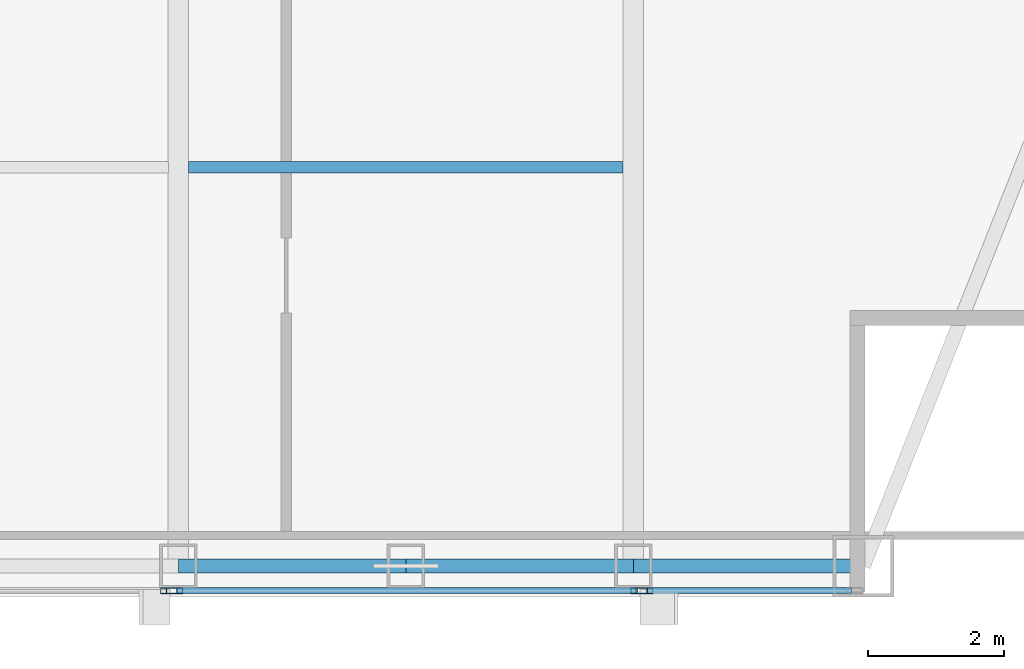
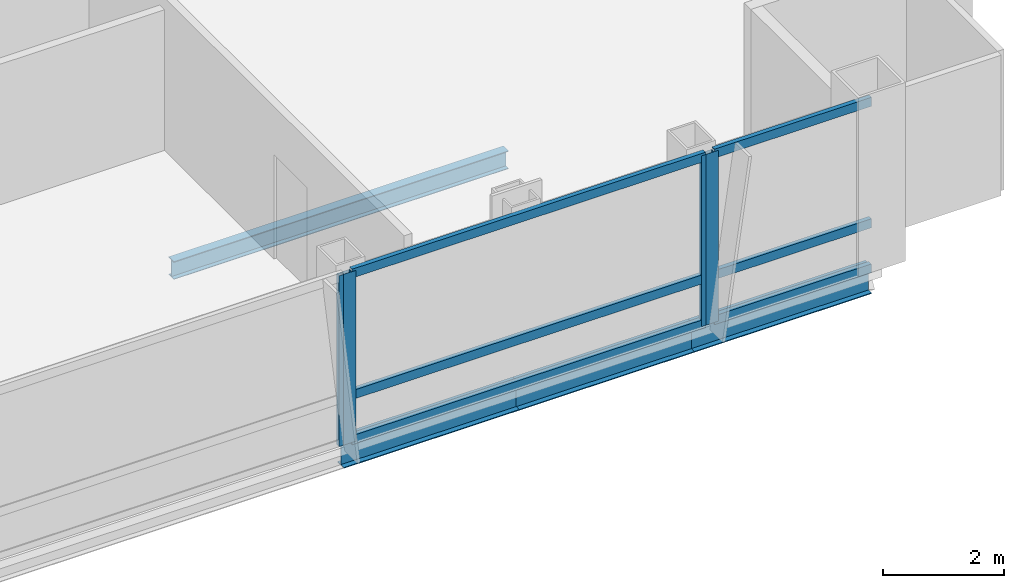
# One storey, part 14 of 29: 10 members, 4 beams, 3 elements without a shape of their own.
"""IFC4 building model written with IfcOpenShell, lengths in metres."""

from ifc_helpers import new_model, si_unit, direction, frame, origin, origin_2d, place, context, subcontext, project, spatial, hollow_rectangle, i_section, extrude, material, material_profile, profile_set, type_object, element, aggregate, save


model = new_model("IFC4")

# Units and contexts
model_context = context("Model", 3, precision=1e-05, world=origin(), true_north=direction((0.0, 1.0)))
body_context = subcontext(model_context, "Body", "Model", "MODEL_VIEW")
ifc_project = project(units=[si_unit("LENGTHUNIT", "METRE"), si_unit("AREAUNIT", "SQUARE_METRE"), si_unit("VOLUMEUNIT", "CUBIC_METRE"), si_unit("PLANEANGLEUNIT", "RADIAN"), si_unit("MASSUNIT", "GRAM", prefix="KILO")], contexts=[model_context])

# Site, building, storey
site_placement = place(None, origin())
site = spatial("IfcSite", under=ifc_project, at=site_placement, CompositionType="ELEMENT")
building_placement = place(site_placement, origin())
building = spatial("IfcBuilding", under=site, at=building_placement, Name="Khoronbel Lancet Exchange", CompositionType="ELEMENT")
storey_placement = place(building_placement, frame((0.0, 0.0, 321.800048828125)))
storey = spatial("IfcBuildingStorey", under=building, at=storey_placement, Name="L83", CompositionType="ELEMENT", Elevation=321.800048828125)

# Beams
ifc_material_1 = material(Name="Steel S355", Category="steel")
ifc_material_profile_1 = material_profile(ifc_material_1, i_section(OverallWidth=0.169921875, OverallDepth=0.360107421875, WebThickness=0.008056640625, FlangeThickness=0.0126953125, at=origin_2d()), Name="IPE 360")
ifc_profile_set_1 = profile_set([ifc_material_profile_1], Name="Steel S355")
beam_type_1 = type_object("IfcBeamType", Name="BM-BJ6", PredefinedType="JOIST", material=ifc_profile_set_1)
beam_1_placement = place(storey_placement, frame((48.14990234375, 16.0, -0.340087890625), z_axis=(1.0, 0.0, 0.0), x_axis=(0.0, 1.0, 0.0)))
element("IfcBeam", 1, at=beam_1_placement, inside=storey, type_object=beam_type_1, Name="Level L83 secondary composite joist J03", PredefinedType="JOIST", context=body_context, shape_type="SweptSolid", body=[
    extrude(i_section(OverallWidth=0.169921875, OverallDepth=0.360107421875, WebThickness=0.008056640625, FlangeThickness=0.0126953125, at=origin_2d()), origin(), (0.0, 0.0, 1.0), 6.375),
])
ifc_material_profile_2 = material_profile(ifc_material_1, i_section(OverallWidth=0.2099609375, OverallDepth=0.550048828125, WebThickness=0.010986328125, FlangeThickness=0.01708984375, at=origin_2d()), Name="IPE 550")
ifc_profile_set_2 = profile_set([ifc_material_profile_2], Name="Steel S355")
beam_type_2 = type_object("IfcBeamType", Name="BM-BSP3", PredefinedType="SPANDREL", material=ifc_profile_set_2)
beam_2_placement = place(storey_placement, frame((48.0, 10.14990234375, -0.43505859375), z_axis=(1.0, 0.0, 0.0), x_axis=(0.0, 1.0, 0.0)))
element("IfcBeam", 2, at=beam_2_placement, inside=storey, type_object=beam_type_2, Name="Level L83 perimeter spandrel beam SP05", PredefinedType="SPANDREL", context=body_context, shape_type="SweptSolid", body=[
    extrude(i_section(OverallWidth=0.2099609375, OverallDepth=0.550048828125, WebThickness=0.010986328125, FlangeThickness=0.01708984375, at=origin_2d()), origin(), (0.0, 0.0, 1.0), 3.33740234375),
])
beam_3_placement = place(storey_placement, frame((51.33740234375, 10.14990234375, -0.43505859375), z_axis=(1.0, 0.0, 0.0), x_axis=(0.0, 1.0, 0.0)))
element("IfcBeam", 3, at=beam_3_placement, inside=storey, type_object=beam_type_2, Name="Level L83 perimeter spandrel beam SP06", PredefinedType="SPANDREL", context=body_context, shape_type="SweptSolid", body=[
    extrude(i_section(OverallWidth=0.2099609375, OverallDepth=0.550048828125, WebThickness=0.010986328125, FlangeThickness=0.01708984375, at=origin_2d()), origin(), (0.0, 0.0, 1.0), 3.337646484375),
])
beam_4_placement = place(storey_placement, frame((54.675048828125, 10.14990234375, -0.43505859375), z_axis=(1.0, 0.0, 0.0), x_axis=(0.0, 1.0, 0.0)))
element("IfcBeam", 4, at=beam_4_placement, inside=storey, type_object=beam_type_2, Name="Level L83 perimeter spandrel beam SP07", PredefinedType="SPANDREL", context=body_context, shape_type="SweptSolid", body=[
    extrude(i_section(OverallWidth=0.2099609375, OverallDepth=0.550048828125, WebThickness=0.010986328125, FlangeThickness=0.01708984375, at=origin_2d()), origin(), (0.0, 0.0, 1.0), 3.375),
])

# Curtain wall, member
ifc_material_2 = material(Name="Low-E Solar Control Insulating Glass", Category="glass")
curtain_wall_type = type_object("IfcCurtainWallType", Name="CW-3", PredefinedType="NOTDEFINED", material=ifc_material_2)
curtain_wall_1_placement = place(storey_placement, origin())
curtain_wall_1 = element("IfcCurtainWall", 5, at=curtain_wall_1_placement, inside=storey, type_object=curtain_wall_type, Name="Unitised curtain wall CW-L83-SCV", PredefinedType="NOTDEFINED")
ifc_material_3 = material(Name="Bronze-Anodised Aluminium 6063-T6", Category="aluminium")
ifc_material_profile_3 = material_profile(ifc_material_3, hollow_rectangle(XDim=0.0849609375, YDim=0.239990234375, WallThickness=0.006103515625, at=origin_2d()), Name="ALU MULLION 85x240")
ifc_profile_set_3 = profile_set([ifc_material_profile_3], Name="Bronze-Anodised Aluminium 6063-T6")
member_type_1 = type_object("IfcMemberType", Name="MEM-CWM1", PredefinedType="MULLION", material=ifc_profile_set_3)
member_1_placement = place(storey_placement, frame((47.857421875, 9.7900390625, 0.0), z_axis=(0.0, 0.0, 1.0), x_axis=(0.0, 1.0, 0.0)))
member_1 = element("IfcMember", 6, at=member_1_placement, type_object=member_type_1, Name="CW3 mullion 3", PredefinedType="MULLION", context=body_context, shape_type="SweptSolid", body=[
    extrude(hollow_rectangle(XDim=0.0849609375, YDim=0.239990234375, WallThickness=0.006103515625, at=origin_2d()), origin(), (0.0, 0.0, 1.0), 3.43994140625),
])
aggregate(curtain_wall_1, [member_1])

# Curtain wall, members
curtain_wall_2_placement = place(storey_placement, origin())
curtain_wall_2 = element("IfcCurtainWall", 7, at=curtain_wall_2_placement, inside=storey, type_object=curtain_wall_type, Name="Unitised curtain wall CW-L83-SEB", PredefinedType="NOTDEFINED")
member_2_placement = place(storey_placement, frame((47.9423828125, 9.7900390625, 0.0), z_axis=(0.0, 0.0, 1.0), x_axis=(0.0, 1.0, 0.0)))
member_2 = element("IfcMember", 8, at=member_2_placement, type_object=member_type_1, Name="CW3 mullion 1", PredefinedType="MULLION", context=body_context, shape_type="SweptSolid", body=[
    extrude(hollow_rectangle(XDim=0.0849609375, YDim=0.239990234375, WallThickness=0.006103515625, at=origin_2d()), origin(), (0.0, 0.0, 1.0), 3.43994140625),
])
member_3_placement = place(storey_placement, frame((54.757568359375, 9.7900390625, 0.0), z_axis=(0.0, 0.0, 1.0), x_axis=(0.0, 1.0, 0.0)))
member_3 = element("IfcMember", 9, at=member_3_placement, type_object=member_type_1, Name="CW3 mullion 2", PredefinedType="MULLION", context=body_context, shape_type="SweptSolid", body=[
    extrude(hollow_rectangle(XDim=0.0849609375, YDim=0.239990234375, WallThickness=0.006103515625, at=origin_2d()), origin(), (0.0, 0.0, 1.0), 3.43994140625),
])

# Curtain wall, member
curtain_wall_3_placement = place(storey_placement, origin())
curtain_wall_3 = element("IfcCurtainWall", 10, at=curtain_wall_3_placement, inside=storey, type_object=curtain_wall_type, Name="Unitised curtain wall CW-L83-SEV", PredefinedType="NOTDEFINED")
member_4_placement = place(storey_placement, frame((54.842529296875, 9.7900390625, 0.0), z_axis=(0.0, 0.0, 1.0), x_axis=(0.0, 1.0, 0.0)))
member_4 = element("IfcMember", 11, at=member_4_placement, type_object=member_type_1, Name="CW3 mullion 1", PredefinedType="MULLION", context=body_context, shape_type="SweptSolid", body=[
    extrude(hollow_rectangle(XDim=0.0849609375, YDim=0.239990234375, WallThickness=0.006103515625, at=origin_2d()), origin(), (0.0, 0.0, 1.0), 3.43994140625),
])

# Member
ifc_material_profile_4 = material_profile(ifc_material_3, hollow_rectangle(XDim=0.0849609375, YDim=0.179931640625, WallThickness=0.0048828125, at=origin_2d()), Name="ALU TRANSOM 85x180")
ifc_profile_set_4 = profile_set([ifc_material_profile_4], Name="Bronze-Anodised Aluminium 6063-T6")
member_type_2 = type_object("IfcMemberType", Name="MEM-CWT1", PredefinedType="USERDEFINED", material=ifc_profile_set_4)
member_5_placement = place(storey_placement, frame((47.985107421875, 9.7900390625, 0.04248046875), z_axis=(1.0, 0.0, 0.0), x_axis=(0.0, 1.0, 0.0)))
member_5 = element("IfcMember", 12, at=member_5_placement, type_object=member_type_2, Name="CW3 transom 1.1", ObjectType="TRANSOM", PredefinedType="USERDEFINED", context=body_context, shape_type="SweptSolid", body=[
    extrude(hollow_rectangle(XDim=0.0849609375, YDim=0.179931640625, WallThickness=0.0048828125, at=origin_2d()), origin(), (0.0, 0.0, 1.0), 6.72998046875),
])

member_6_placement = place(storey_placement, frame((47.985107421875, 9.7900390625, 0.949951171875), z_axis=(1.0, 0.0, 0.0), x_axis=(0.0, 1.0, 0.0)))
member_6 = element("IfcMember", 13, at=member_6_placement, type_object=member_type_2, Name="CW3 transom 1.2", ObjectType="TRANSOM", PredefinedType="USERDEFINED", context=body_context, shape_type="SweptSolid", body=[
    extrude(hollow_rectangle(XDim=0.0849609375, YDim=0.179931640625, WallThickness=0.0048828125, at=origin_2d()), origin(), (0.0, 0.0, 1.0), 6.72998046875),
])

member_7_placement = place(storey_placement, frame((47.985107421875, 9.7900390625, 3.3974609375), z_axis=(1.0, 0.0, 0.0), x_axis=(0.0, 1.0, 0.0)))
member_7 = element("IfcMember", 14, at=member_7_placement, type_object=member_type_2, Name="CW3 transom 1.3", ObjectType="TRANSOM", PredefinedType="USERDEFINED", context=body_context, shape_type="SweptSolid", body=[
    extrude(hollow_rectangle(XDim=0.0849609375, YDim=0.179931640625, WallThickness=0.0048828125, at=origin_2d()), origin(), (0.0, 0.0, 1.0), 6.72998046875),
])

aggregate(curtain_wall_2, [member_2, member_3, member_5, member_6, member_7])

member_8_placement = place(storey_placement, frame((54.885009765625, 9.7900390625, 0.04248046875), z_axis=(1.0, 0.0, 0.0), x_axis=(0.0, 1.0, 0.0)))
member_8 = element("IfcMember", 15, at=member_8_placement, type_object=member_type_2, Name="CW3 transom 1.1", ObjectType="TRANSOM", PredefinedType="USERDEFINED", context=body_context, shape_type="SweptSolid", body=[
    extrude(hollow_rectangle(XDim=0.0849609375, YDim=0.179931640625, WallThickness=0.0048828125, at=origin_2d()), origin(), (0.0, 0.0, 1.0), 2.989990234375),
])

member_9_placement = place(storey_placement, frame((54.885009765625, 9.7900390625, 0.949951171875), z_axis=(1.0, 0.0, 0.0), x_axis=(0.0, 1.0, 0.0)))
member_9 = element("IfcMember", 16, at=member_9_placement, type_object=member_type_2, Name="CW3 transom 1.2", ObjectType="TRANSOM", PredefinedType="USERDEFINED", context=body_context, shape_type="SweptSolid", body=[
    extrude(hollow_rectangle(XDim=0.0849609375, YDim=0.179931640625, WallThickness=0.0048828125, at=origin_2d()), origin(), (0.0, 0.0, 1.0), 2.989990234375),
])

member_10_placement = place(storey_placement, frame((54.885009765625, 9.7900390625, 3.3974609375), z_axis=(1.0, 0.0, 0.0), x_axis=(0.0, 1.0, 0.0)))
member_10 = element("IfcMember", 17, at=member_10_placement, type_object=member_type_2, Name="CW3 transom 1.3", ObjectType="TRANSOM", PredefinedType="USERDEFINED", context=body_context, shape_type="SweptSolid", body=[
    extrude(hollow_rectangle(XDim=0.0849609375, YDim=0.179931640625, WallThickness=0.0048828125, at=origin_2d()), origin(), (0.0, 0.0, 1.0), 2.989990234375),
])

aggregate(curtain_wall_3, [member_4, member_8, member_9, member_10])

save(model, "model.ifc")
